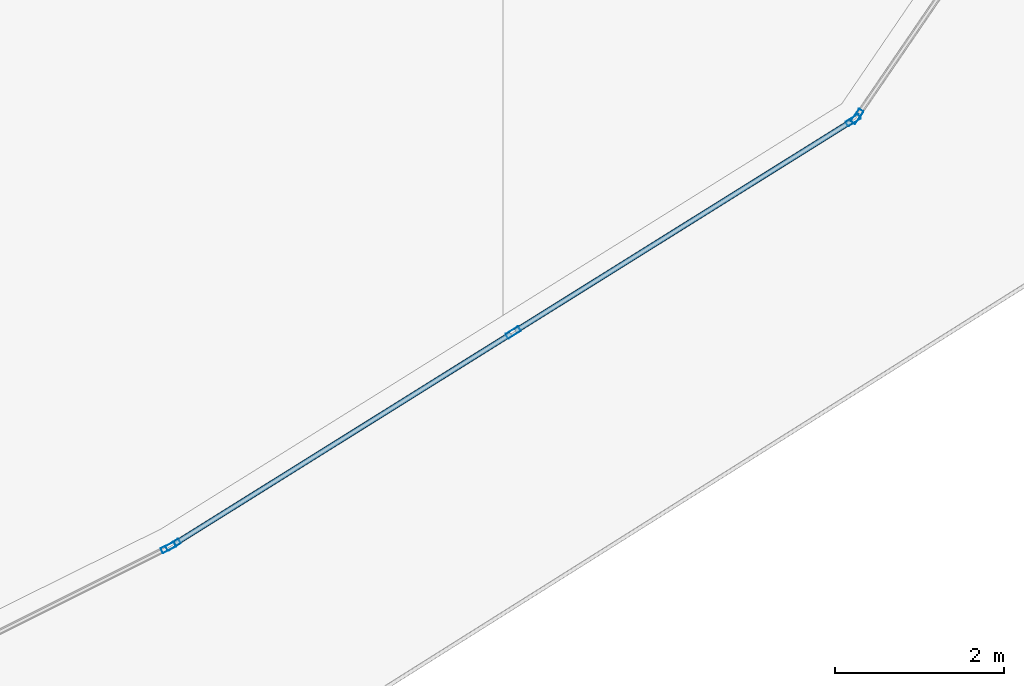
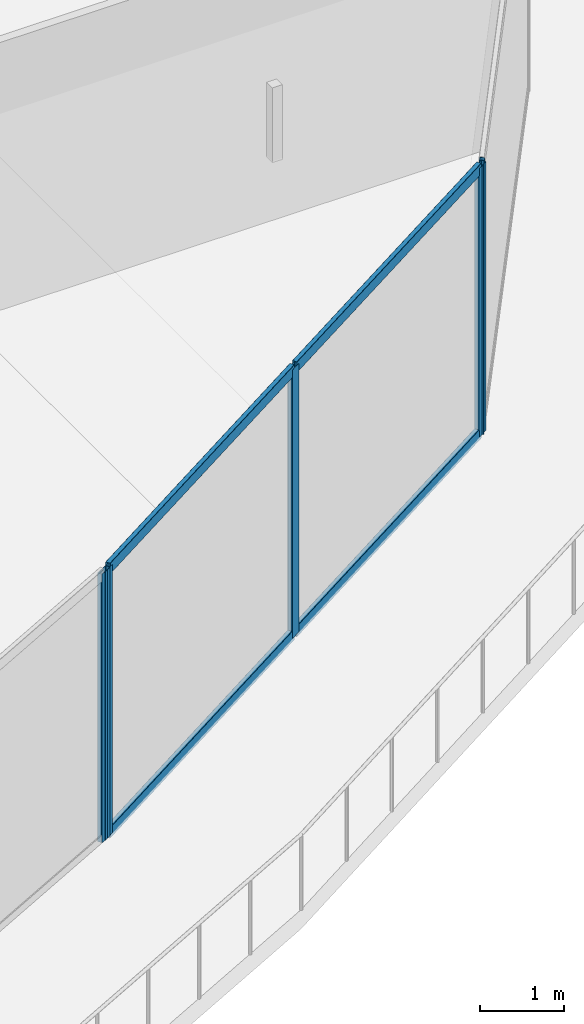
# One storey, part 9 of 46: 9 members, 3 elements without a shape of their own.
"""IFC4 building model written with IfcOpenShell, lengths in metres."""

from ifc_helpers import new_model, si_unit, direction, frame, origin, origin_2d, place, context, subcontext, project, spatial, hollow_rectangle, extrude, material, layer, layer_set, material_profile, profile_set, type_object, element, aggregate, save


model = new_model("IFC4")

# Units and contexts
model_context = context("Model", 3, precision=1e-05, world=origin(), true_north=direction((0.0, 1.0)))
body_context = subcontext(model_context, "Body", "Model", "MODEL_VIEW")
ifc_project = project(units=[si_unit("LENGTHUNIT", "METRE"), si_unit("AREAUNIT", "SQUARE_METRE"), si_unit("VOLUMEUNIT", "CUBIC_METRE"), si_unit("PLANEANGLEUNIT", "RADIAN"), si_unit("MASSUNIT", "GRAM", prefix="KILO")], contexts=[model_context])

# Site, building, storey
site_placement = place(None, origin())
site = spatial("IfcSite", under=ifc_project, at=site_placement, CompositionType="ELEMENT")
building_placement = place(site_placement, origin())
building = spatial("IfcBuilding", under=site, at=building_placement, Name="Qorvath Tower", CompositionType="ELEMENT")
storey_placement = place(building_placement, frame((0.0, 0.0, 87.0)))
storey = spatial("IfcBuildingStorey", under=building, at=storey_placement, Name="L19", CompositionType="ELEMENT", Elevation=87.0)

# Curtain wall, member
ifc_material_1 = material(Name="Anodised aluminium and triple low-E glass", Category="aluminium")
ifc_layer = layer(ifc_material_1, 0.179931640625)
ifc_layer_set = layer_set([ifc_layer], Name="CW-SYS-2")
curtain_wall_type = type_object("IfcCurtainWallType", Name="CW-SYS-2", PredefinedType="NOTDEFINED", material=ifc_layer_set)
curtain_wall_1_placement = place(storey_placement, origin())
curtain_wall_1 = element("IfcCurtainWall", 1, at=curtain_wall_1_placement, inside=storey, type_object=curtain_wall_type, Name="Curtain Wall CW-2 CW-T-L19-3.1", PredefinedType="NOTDEFINED")
ifc_material_2 = material(Name="Anodised aluminium 6063-T6", Category="aluminium")
ifc_material_profile_1 = material_profile(ifc_material_2, hollow_rectangle(XDim=0.06494140625, YDim=0.179931640625, WallThickness=0.00341796875, InnerFilletRadius=0.00341796875, OuterFilletRadius=0.007080078125, at=origin_2d()), Name="CWM 180x65")
ifc_profile_set_1 = profile_set([ifc_material_profile_1], Name="Anodised aluminium 6063-T6")
member_type_1 = type_object("IfcMemberType", Name="CWM-180", PredefinedType="MULLION", material=ifc_profile_set_1)
member_1_placement = place(storey_placement, frame((-10.813232421875, -29.685546875, 0.0), z_axis=(0.0, 0.0, 1.0), x_axis=(-0.447190081713, 0.894438947507, 0.0)))
member_1 = element("IfcMember", 2, at=member_1_placement, type_object=member_type_1, Name="CW-2 mullion 2", PredefinedType="MULLION", context=body_context, shape_type="SweptSolid", body=[
    extrude(hollow_rectangle(XDim=0.06494140625, YDim=0.179931640625, WallThickness=0.00341796875, InnerFilletRadius=0.00341796875, OuterFilletRadius=0.007080078125, at=origin_2d()), origin(), (0.0, 0.0, 1.0), 3.919921875),
])
aggregate(curtain_wall_1, [member_1])

# Curtain wall, members
curtain_wall_2_placement = place(storey_placement, origin())
curtain_wall_2 = element("IfcCurtainWall", 3, at=curtain_wall_2_placement, inside=storey, type_object=curtain_wall_type, Name="Curtain Wall CW-2 CW-T-L19-4.1", PredefinedType="NOTDEFINED")
member_2_placement = place(storey_placement, frame((-10.756591796875, -29.65380859375, 0.0), z_axis=(0.0, 0.0, 1.0), x_axis=(-0.529624942243, 0.848231937947, 0.0)))
member_2 = element("IfcMember", 4, at=member_2_placement, type_object=member_type_1, Name="CW-2 mullion 1", PredefinedType="MULLION", context=body_context, shape_type="SweptSolid", body=[
    extrude(hollow_rectangle(XDim=0.06494140625, YDim=0.179931640625, WallThickness=0.00341796875, InnerFilletRadius=0.00341796875, OuterFilletRadius=0.007080078125, at=origin_2d()), origin(), (0.0, 0.0, 1.0), 3.919921875),
])
member_3_placement = place(storey_placement, frame((-6.726806640625, -27.137451171875, 0.0), z_axis=(0.0, 0.0, 1.0), x_axis=(-0.529624942243, 0.848231937947, 0.0)))
member_3 = element("IfcMember", 5, at=member_3_placement, type_object=member_type_1, Name="CW-2 mullion 2", PredefinedType="MULLION", context=body_context, shape_type="SweptSolid", body=[
    extrude(hollow_rectangle(XDim=0.06494140625, YDim=0.179931640625, WallThickness=0.00341796875, InnerFilletRadius=0.00341796875, OuterFilletRadius=0.007080078125, at=origin_2d()), origin(), (0.0, 0.0, 1.0), 3.919921875),
])
member_4_placement = place(storey_placement, frame((-2.69677734375, -24.62109375, 0.0), z_axis=(0.0, 0.0, 1.0), x_axis=(-0.529624942243, 0.848231937947, 0.0)))
member_4 = element("IfcMember", 6, at=member_4_placement, type_object=member_type_1, Name="CW-2 mullion 3", PredefinedType="MULLION", context=body_context, shape_type="SweptSolid", body=[
    extrude(hollow_rectangle(XDim=0.06494140625, YDim=0.179931640625, WallThickness=0.00341796875, InnerFilletRadius=0.00341796875, OuterFilletRadius=0.007080078125, at=origin_2d()), origin(), (0.0, 0.0, 1.0), 3.919921875),
])

# Curtain wall, member
curtain_wall_3_placement = place(storey_placement, origin())
curtain_wall_3 = element("IfcCurtainWall", 7, at=curtain_wall_3_placement, inside=storey, type_object=curtain_wall_type, Name="Curtain Wall CW-2 CW-T-L19-5.1", PredefinedType="NOTDEFINED")
member_5_placement = place(storey_placement, frame((-2.65087890625, -24.5771484375, 0.0), z_axis=(0.0, 0.0, 1.0), x_axis=(-0.825750255931, 0.564035916259, 0.0)))
member_5 = element("IfcMember", 8, at=member_5_placement, type_object=member_type_1, Name="CW-2 mullion 1", PredefinedType="MULLION", context=body_context, shape_type="SweptSolid", body=[
    extrude(hollow_rectangle(XDim=0.06494140625, YDim=0.179931640625, WallThickness=0.00341796875, InnerFilletRadius=0.00341796875, OuterFilletRadius=0.007080078125, at=origin_2d()), origin(), (0.0, 0.0, 1.0), 3.919921875),
])
aggregate(curtain_wall_3, [member_5])

# Member
ifc_material_3 = material(Name="Anodised aluminium 6063-T6", Category="aluminium")
ifc_material_profile_2 = material_profile(ifc_material_3, hollow_rectangle(XDim=0.06494140625, YDim=0.159912109375, WallThickness=0.00341796875, InnerFilletRadius=0.00341796875, OuterFilletRadius=0.007080078125, at=origin_2d()), Name="CWT 160x65")
ifc_profile_set_2 = profile_set([ifc_material_profile_2], Name="Anodised aluminium 6063-T6")
member_type_2 = type_object("IfcMemberType", Name="CWT-160", PredefinedType="USERDEFINED", material=ifc_profile_set_2)
member_6_placement = place(storey_placement, frame((-10.72900390625, -29.636474609375, 0.032470703125), z_axis=(0.848223599357, 0.529638296853, 0.0), x_axis=(-0.529638296853, 0.848223599357, 0.0)))
member_6 = element("IfcMember", 9, at=member_6_placement, type_object=member_type_2, Name="CW-2 transom 1.1", ObjectType="TRANSOM", PredefinedType="USERDEFINED", context=body_context, shape_type="SweptSolid", body=[
    extrude(hollow_rectangle(XDim=0.06494140625, YDim=0.159912109375, WallThickness=0.00341796875, InnerFilletRadius=0.00341796875, OuterFilletRadius=0.007080078125, at=origin_2d()), origin(), (0.0, 0.0, 1.0), 4.68603515625),
])

member_7_placement = place(storey_placement, frame((-10.72900390625, -29.636474609375, 3.887451171875), z_axis=(0.848223599357, 0.529638296853, 0.0), x_axis=(-0.529638296853, 0.848223599357, 0.0)))
member_7 = element("IfcMember", 10, at=member_7_placement, type_object=member_type_2, Name="CW-2 transom 1.2", ObjectType="TRANSOM", PredefinedType="USERDEFINED", context=body_context, shape_type="SweptSolid", body=[
    extrude(hollow_rectangle(XDim=0.06494140625, YDim=0.159912109375, WallThickness=0.00341796875, InnerFilletRadius=0.00341796875, OuterFilletRadius=0.007080078125, at=origin_2d()), origin(), (0.0, 0.0, 1.0), 4.68603515625),
])

member_8_placement = place(storey_placement, frame((-6.69921875, -27.1201171875, 0.032470703125), z_axis=(0.848247004733, 0.529600810952, 0.0), x_axis=(-0.529600810952, 0.848247004733, 0.0)))
member_8 = element("IfcMember", 11, at=member_8_placement, type_object=member_type_2, Name="CW-2 transom 2.1", ObjectType="TRANSOM", PredefinedType="USERDEFINED", context=body_context, shape_type="SweptSolid", body=[
    extrude(hollow_rectangle(XDim=0.06494140625, YDim=0.159912109375, WallThickness=0.00341796875, InnerFilletRadius=0.00341796875, OuterFilletRadius=0.007080078125, at=origin_2d()), origin(), (0.0, 0.0, 1.0), 4.68603515625),
])

member_9_placement = place(storey_placement, frame((-6.69921875, -27.1201171875, 3.887451171875), z_axis=(0.848247004733, 0.529600810952, 0.0), x_axis=(-0.529600810952, 0.848247004733, 0.0)))
member_9 = element("IfcMember", 12, at=member_9_placement, type_object=member_type_2, Name="CW-2 transom 2.2", ObjectType="TRANSOM", PredefinedType="USERDEFINED", context=body_context, shape_type="SweptSolid", body=[
    extrude(hollow_rectangle(XDim=0.06494140625, YDim=0.159912109375, WallThickness=0.00341796875, InnerFilletRadius=0.00341796875, OuterFilletRadius=0.007080078125, at=origin_2d()), origin(), (0.0, 0.0, 1.0), 4.68603515625),
])

aggregate(curtain_wall_2, [member_2, member_3, member_4, member_6, member_7, member_8, member_9])

save(model, "model.ifc")
